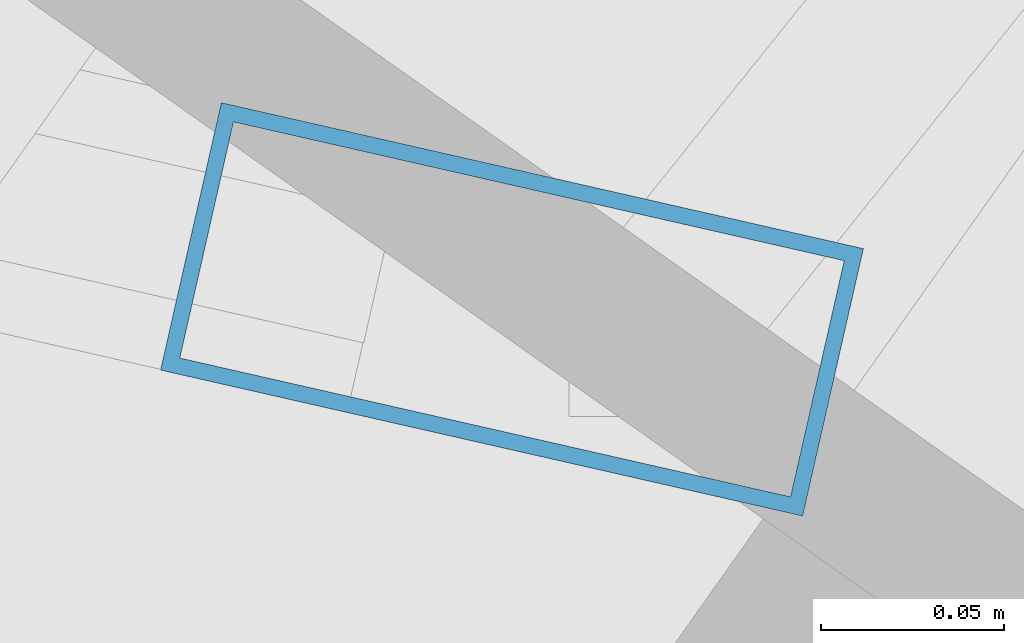
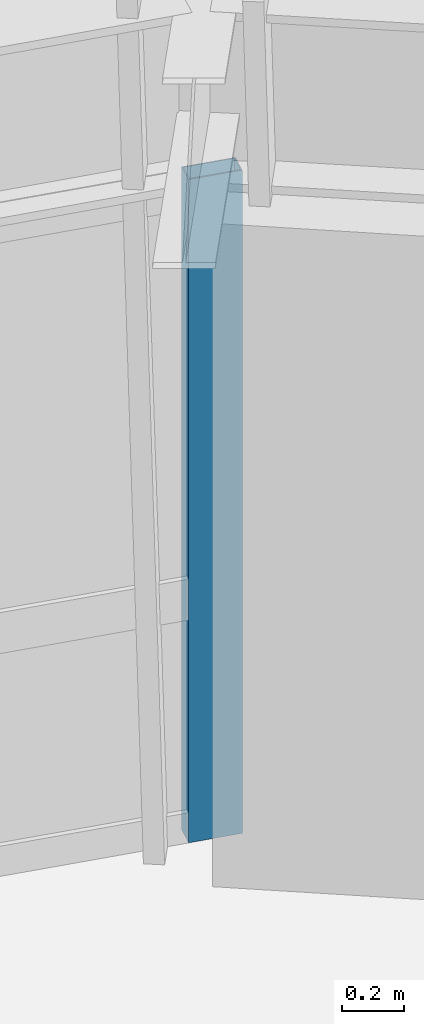
# One storey, part 11 of 23: 1 member, 1 element without a shape of its own.
"""IFC4 building model written with IfcOpenShell, lengths in metres."""

from ifc_helpers import new_model, si_unit, direction, frame, origin, origin_2d, place, context, subcontext, project, spatial, hollow_rectangle, extrude, source, transform, mapped, material, material_profile, profile_set, type_object, element, aggregate, save


model = new_model("IFC4")

# Units and contexts
model_context = context("Model", 3, precision=1e-05, world=origin(), true_north=direction((0.0, 1.0)))
body_context = subcontext(model_context, "Body", "Model", "MODEL_VIEW")
ifc_project = project(units=[si_unit("LENGTHUNIT", "METRE"), si_unit("AREAUNIT", "SQUARE_METRE"), si_unit("VOLUMEUNIT", "CUBIC_METRE"), si_unit("PLANEANGLEUNIT", "RADIAN"), si_unit("MASSUNIT", "GRAM", prefix="KILO")], contexts=[model_context])

# Site, building, storey
site_placement = place(None, origin())
site = spatial("IfcSite", under=ifc_project, at=site_placement, CompositionType="ELEMENT")
building_placement = place(site_placement, origin())
building = spatial("IfcBuilding", under=site, at=building_placement, Name="Olszyna Solenne Hotel", CompositionType="ELEMENT")
storey_placement = place(building_placement, frame((0.0, 0.0, 32.85009765625)))
storey = spatial("IfcBuildingStorey", under=building, at=storey_placement, Name="L07", CompositionType="ELEMENT", Elevation=32.85009765625)

# Curtain wall, member
ifc_material = material(Name="Anodised bronze aluminium", Category="aluminium")
curtain_wall_type = type_object("IfcCurtainWallType", Name="CW-SYS-2", PredefinedType="NOTDEFINED", material=ifc_material)
curtain_wall_placement = place(storey_placement, origin())
curtain_wall = element("IfcCurtainWall", 1, at=curtain_wall_placement, inside=storey, type_object=curtain_wall_type, Name="Unitised curtain wall CW-SYS-2 CW-L07-02", PredefinedType="NOTDEFINED")
ifc_material_profile = material_profile(ifc_material, hollow_rectangle(XDim=0.074951171875, YDim=0.179931640625, WallThickness=0.00439453125, at=origin_2d()), Name="MULL 180x75x4.5", Category="load-bearing")
ifc_profile_set = profile_set([ifc_material_profile], Name="Anodised bronze aluminium")
member_type = type_object("IfcMemberType", Name="CW-M2", PredefinedType="MULLION", material=ifc_profile_set)
shared_shape = source(origin(), body_context, "Body", "SweptSolid", [
    extrude(hollow_rectangle(XDim=0.074951171875, YDim=0.179931640625, WallThickness=0.00439453125, at=origin_2d()), origin(), (0.0, 0.0, 1.0), 2.591796875),
])
member_placement = place(storey_placement, frame((49.51806640625, 42.923095703125, 0.0), z_axis=(0.0, 0.0, 1.0), x_axis=(0.221622002849, 0.975132651414, 0.0)))
member = element("IfcMember", 2, at=member_placement, type_object=member_type, Name="Curtain-wall mullion CW-M2 CM-L07-02-04", PredefinedType="MULLION", context=body_context, shape_type="MappedRepresentation", body=[
    mapped(shared_shape, transform((0.0, 0.0, 0.0), x_axis=(1.0, 0.0, 0.0), y_axis=(0.0, 1.0, 0.0), z_axis=(0.0, 0.0, 1.0), scale=1.0)),
])
aggregate(curtain_wall, [member])

save(model, "model.ifc")
